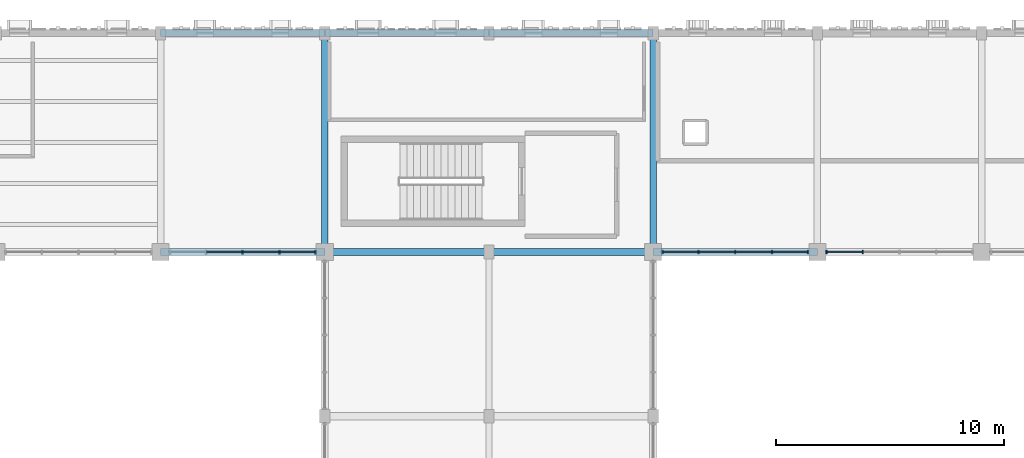
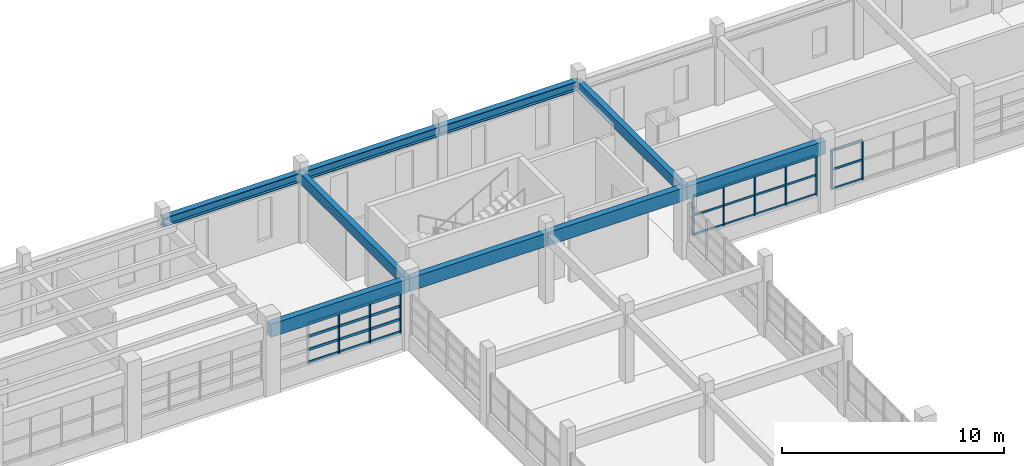
# One storey, part 23 of 69: 37 members, 9 beams, 3 elements without a shape of their own.
"""IFC4 building model written with IfcOpenShell, lengths in metres."""

import ifcopenshell
import ifcopenshell.guid

model = None  # the IFC model being written
_history = None  # IfcOwnerHistory: only IFC2X3 demands one
_inside = {}  # id of a spatial element -> (the spatial element, [elements in it])
_under = {}  # id of a project, library or spatial element -> (it, [spatial elements below it])
_declared = {}  # id of a project -> (the project, [libraries it declares])
_typed = {}  # id of a type object -> (the type object, [elements of that type])
_made_of = {}  # id of a material, layer set ... -> (it, [elements and type objects made of it])


def new_model(schema):
    """Start an empty IFC model of exactly this schema.

    Asked for "IFC4X3", IfcOpenShell would pick the latest addendum, in which some entities
    have other attributes; the version numbers below select the first issue.
    IFC2X3 requires an IfcOwnerHistory on every rooted entity: one is made here for all.
    """
    global model, _history
    if schema == "IFC4X3":
        model = ifcopenshell.file(schema_version=(4, 3, 0, 0))
    else:
        model = ifcopenshell.file(schema=schema)
    _inside.clear()
    _under.clear()
    _declared.clear()
    _typed.clear()
    _made_of.clear()
    _history = None
    if model.schema == "IFC2X3":
        org = make("IfcOrganization", Name="unknown")
        user = make(
            "IfcPersonAndOrganization",
            ThePerson=make("IfcPerson", FamilyName="unknown"),
            TheOrganization=org,
        )
        app = make(
            "IfcApplication",
            ApplicationDeveloper=org,
            Version="unknown",
            ApplicationFullName="unknown",
            ApplicationIdentifier="unknown",
        )
        _history = make(
            "IfcOwnerHistory",
            OwningUser=user,
            OwningApplication=app,
            ChangeAction="ADDED",
            CreationDate=0,
        )
    return model


def make(cls, **values):
    """One entity of the class cls with the attributes given. An attribute that is None is left unset."""
    return model.create_entity(
        cls, **{name: value for name, value in values.items() if value is not None}
    )


def rooted(cls, **values):
    """An entity with a GlobalId (a new one), such as an element, a storey or a relation."""
    return make(cls, GlobalId=ifcopenshell.guid.new(), OwnerHistory=_history, **values)


def si_unit(unit_type, name, prefix=None):
    """IfcSIUnit, for example si_unit("LENGTHUNIT", "METRE", prefix="MILLI")."""
    return make("IfcSIUnit", UnitType=unit_type, Prefix=prefix, Name=name)


def assignment(units):
    """IfcUnitAssignment: the units of a project."""
    return None if units is None else make("IfcUnitAssignment", Units=units)


def point(xyz):
    """IfcCartesianPoint."""
    return None if xyz is None else make("IfcCartesianPoint", Coordinates=xyz)


def direction(xyz):
    """IfcDirection."""
    return None if xyz is None else make("IfcDirection", DirectionRatios=xyz)


def frame(location, z_axis=None, x_axis=None):
    """IfcAxis2Placement3D, a coordinate frame: its origin and axes. An axis left out is left unset."""
    return make(
        "IfcAxis2Placement3D",
        Location=point(location),
        Axis=direction(z_axis),
        RefDirection=direction(x_axis),
    )


def frame_2d(location, x_axis=None):
    """IfcAxis2Placement2D, a coordinate frame in the plane: its origin and x axis."""
    return make(
        "IfcAxis2Placement2D", Location=point(location), RefDirection=direction(x_axis)
    )


def origin():
    """The frame at (0, 0, 0) with its axes left unset."""
    return frame((0.0, 0.0, 0.0))


def origin_2d():
    """The frame at (0, 0) in the plane with its x axis left unset."""
    return frame_2d((0.0, 0.0))


def place(relative_to, where):
    """IfcLocalPlacement: puts the frame where relative to a parent placement (None: the world)."""
    return make(
        "IfcLocalPlacement", PlacementRelTo=relative_to, RelativePlacement=where
    )


def context(
    kind, dimensions, precision=None, world=None, true_north=None, identifier=None
):
    """IfcGeometricRepresentationContext, for example the 3D "Model" context."""
    return make(
        "IfcGeometricRepresentationContext",
        ContextIdentifier=identifier,
        ContextType=kind,
        CoordinateSpaceDimension=dimensions,
        Precision=precision,
        WorldCoordinateSystem=world,
        TrueNorth=true_north,
    )


def subcontext(parent, identifier, kind, view, scale=None):
    """IfcGeometricRepresentationSubContext, for example "Body" below "Model"."""
    return make(
        "IfcGeometricRepresentationSubContext",
        ContextIdentifier=identifier,
        ContextType=kind,
        ParentContext=parent,
        TargetScale=scale,
        TargetView=view,
    )


def project(units=None, contexts=None):
    """IfcProject with its units and contexts."""
    return rooted(
        "IfcProject",
        Name="project",
        RepresentationContexts=contexts,
        UnitsInContext=assignment(units),
    )


def spatial(cls, under=None, at=None, **own):
    """A site, building, storey or space (cls), placed at a placement, below another one or the project."""
    s = rooted(cls, ObjectPlacement=at, **own)
    if under is not None:
        _under.setdefault(under.id(), (under, []))[1].append(s)
    return s


def profile(cls, at=None, kind="AREA", **sizes):
    """A parametric profile (cls). Its sizes go by their IFC names, for example OverallWidth=200.0."""
    return make(cls, ProfileType=kind, Position=at, **sizes)


def rectangle(**sizes):
    """IfcRectangleProfileDef."""
    return profile("IfcRectangleProfileDef", **sizes)


def i_section(**sizes):
    """IfcIShapeProfileDef."""
    return profile("IfcIShapeProfileDef", **sizes)


def extrude(swept, where, along, depth):
    """IfcExtrudedAreaSolid: the profile swept, set in the frame where, extruded along a direction by depth."""
    return make(
        "IfcExtrudedAreaSolid",
        SweptArea=swept,
        Position=where,
        ExtrudedDirection=direction(along),
        Depth=depth,
    )


def shape(context_of_items, identifier, shape_type, items):
    """IfcShapeRepresentation: the items that make up one representation, for example the "Body"."""
    return make(
        "IfcShapeRepresentation",
        ContextOfItems=context_of_items,
        RepresentationIdentifier=identifier,
        RepresentationType=shape_type,
        Items=items,
    )


def material(Name=None, Category=None):
    """IfcMaterial."""
    return make("IfcMaterial", Name=Name, Category=Category)


def material_profile(
    of_material, cross_section, Name=None, Category=None, Priority=None
):
    """IfcMaterialProfile: a cross section and its material."""
    return make(
        "IfcMaterialProfile",
        Name=Name,
        Material=of_material,
        Profile=cross_section,
        Priority=Priority,
        Category=Category,
    )


def profile_set(profiles, Name=None, composite=None):
    """IfcMaterialProfileSet."""
    return make(
        "IfcMaterialProfileSet",
        Name=Name,
        MaterialProfiles=profiles,
        CompositeProfile=composite,
    )


def made_of(thing, what):
    """Note that an element or type object is made of a material, layer set ...; save() writes the relation."""
    if what is not None:
        _made_of.setdefault(what.id(), (what, []))[1].append(thing)
    return thing


def type_object(cls, material=None, **own):
    """A type object (cls), such as IfcWallType, which elements share."""
    return made_of(rooted(cls, **own), material)


def element(
    cls,
    number,
    at=None,
    inside=None,
    cuts=None,
    type_object=None,
    material=None,
    context=None,
    identifier="Body",
    shape_type=None,
    held_by="IfcProductDefinitionShape",
    body=None,
    shapes=None,
    **own,
):
    """One element of the class cls, such as IfcWall. Its Tag is "e" and its number.

    at: its placement. inside: the storey or other place that contains it. cuts: it is an
    opening in that element (IfcRelVoidsElement). A single representation is given by context,
    identifier, shape_type and body (its items); several are given by shapes. held_by: the class
    of the entity that holds the representations. save() writes the other relations.
    """
    e = rooted(cls, Tag="e%d" % number, ObjectPlacement=at, **own)
    if body is not None:
        shapes = [shape(context, identifier, shape_type, body)]
    if shapes is not None:
        e.Representation = make(held_by, Representations=shapes)
    if inside is not None:
        _inside.setdefault(inside.id(), (inside, []))[1].append(e)
    if cuts is not None:
        rooted(
            "IfcRelVoidsElement", RelatingBuildingElement=cuts, RelatedOpeningElement=e
        )
    if type_object is not None:
        _typed.setdefault(type_object.id(), (type_object, []))[1].append(e)
    return made_of(e, material)


def aggregate(whole, parts):
    """IfcRelAggregates: a whole, such as a stair, and the parts it consists of."""
    return rooted("IfcRelAggregates", RelatingObject=whole, RelatedObjects=parts)


def save(model, path):
    """Write the relations noted so far, then the file.

    IfcRelAggregates (storeys below a building ...), IfcRelContainedInSpatialStructure (elements
    in a storey), IfcRelDefinesByType, IfcRelAssociatesMaterial and IfcRelDeclares: one each for
    every whole, place, type object, material and project.
    """
    for whole, parts in _under.values():
        aggregate(whole, parts)
    for where, things in _inside.values():
        rooted(
            "IfcRelContainedInSpatialStructure",
            RelatedElements=things,
            RelatingStructure=where,
        )
    for kind, things in _typed.values():
        rooted("IfcRelDefinesByType", RelatedObjects=things, RelatingType=kind)
    for what, things in _made_of.values():
        rooted("IfcRelAssociatesMaterial", RelatedObjects=things, RelatingMaterial=what)
    for by, libraries in _declared.values():
        rooted("IfcRelDeclares", RelatingContext=by, RelatedDefinitions=libraries)
    model.write(path)


model = new_model("IFC4")

# Units and contexts
model_context = context("Model", 3, precision=1e-05, world=origin(), true_north=direction((0.0, 1.0)))
body_context = subcontext(model_context, "Body", "Model", "MODEL_VIEW")
ifc_project = project(units=[si_unit("LENGTHUNIT", "METRE"), si_unit("AREAUNIT", "SQUARE_METRE"), si_unit("VOLUMEUNIT", "CUBIC_METRE"), si_unit("PLANEANGLEUNIT", "RADIAN"), si_unit("MASSUNIT", "GRAM", prefix="KILO")], contexts=[model_context])

# Site, building, storey
site_placement = place(None, origin())
site = spatial("IfcSite", under=ifc_project, at=site_placement, CompositionType="ELEMENT")
building_placement = place(site_placement, origin())
building = spatial("IfcBuilding", under=site, at=building_placement, Name="Nzembalo Square Collegiate School", CompositionType="ELEMENT")
storey_placement = place(building_placement, frame((0.0, 0.0, 5.10009765625)))
storey = spatial("IfcBuildingStorey", under=building, at=storey_placement, Name="L01", CompositionType="ELEMENT", Elevation=5.10009765625)

# Beams
ifc_material_1 = material(Name="Glulam GL32h", Category="wood")
ifc_material_profile_1 = material_profile(ifc_material_1, rectangle(XDim=0.320068359375, YDim=0.719970703125, at=origin_2d()), Name="GL32h 320x720")
ifc_profile_set_1 = profile_set([ifc_material_profile_1], Name="Glulam GL32h")
beam_type_1 = type_object("IfcBeamType", Name="B03", PredefinedType="BEAM", material=ifc_profile_set_1)
for number, where, z_axis, x_axis, name in (
    (1, (69.60009765625, 104.39990234375, 3.389892578125), (1.0, 0.0, 0.0), (0.0, 1.0, 0.0), "Beam B03 L01"),
    (2, (76.800048828125, 104.39990234375, 3.389892578125), (1.0, 0.0, 0.0), (0.0, 1.0, 0.0), "Beam B03 L01"),
    (3, (84.0, 104.39990234375, 3.389892578125), (1.0, 0.0, 0.0), (0.0, 1.0, 0.0), "Beam B03 L01"),
    (4, (91.199951171875, 104.39990234375, 3.389892578125), (1.0, 0.0, 0.0), (0.0, 1.0, 0.0), "Beam B03 L01"),
):
    element("IfcBeam", number, at=place(storey_placement, frame(where, z_axis=z_axis, x_axis=x_axis)), inside=storey, type_object=beam_type_1, Name=name, PredefinedType="BEAM", context=body_context, shape_type="SweptSolid", body=[
        extrude(rectangle(XDim=0.320068359375, YDim=0.719970703125, at=origin_2d()), origin(), (0.0, 0.0, 1.0), 7.199951171875),
    ])
ifc_material_2 = material(Name="Glulam GL28h", Category="wood")
ifc_material_profile_2 = material_profile(ifc_material_2, rectangle(XDim=0.280029296875, YDim=0.56005859375, at=origin_2d()), Name="GL28h 280x560")
ifc_profile_set_2 = profile_set([ifc_material_profile_2], Name="Glulam GL28h")
beam_type_2 = type_object("IfcBeamType", Name="B05", PredefinedType="BEAM", material=ifc_profile_set_2)
for number, where, z_axis, x_axis, name in (
    (5, (76.800048828125, 104.39990234375, 3.469970703125), (0.0, 1.0, 0.0), (-1.0, 0.0, 0.0), "Beam B05 L01"),
    (6, (91.199951171875, 104.39990234375, 3.469970703125), (0.0, 1.0, 0.0), (-1.0, 0.0, 0.0), "Beam B05 L01"),
):
    element("IfcBeam", number, at=place(storey_placement, frame(where, z_axis=z_axis, x_axis=x_axis)), inside=storey, type_object=beam_type_2, Name=name, PredefinedType="BEAM", context=body_context, shape_type="SweptSolid", body=[
        extrude(rectangle(XDim=0.280029296875, YDim=0.56005859375, at=origin_2d()), origin(), (0.0, 0.0, 1.0), 9.60009765625),
    ])
ifc_material_3 = material(Name="Steel S355", Category="steel")
ifc_material_profile_3 = material_profile(ifc_material_3, i_section(OverallWidth=0.300048828125, OverallDepth=0.5, WebThickness=0.014404296875, FlangeThickness=0.028076171875, at=origin_2d()), Name="HEB 500")
ifc_profile_set_3 = profile_set([ifc_material_profile_3], Name="Steel S355")
beam_type_3 = type_object("IfcBeamType", Name="B07", PredefinedType="BEAM", material=ifc_profile_set_3)
for number, where, z_axis, x_axis, name in (
    (7, (69.60009765625, 114.0, 3.5), (1.0, 0.0, 0.0), (0.0, 1.0, 0.0), "Beam B07 L01"),
    (8, (76.800048828125, 114.0, 3.5), (1.0, 0.0, 0.0), (0.0, 1.0, 0.0), "Beam B07 L01"),
    (9, (84.0, 114.0, 3.5), (1.0, 0.0, 0.0), (0.0, 1.0, 0.0), "Beam B07 L01"),
):
    element("IfcBeam", number, at=place(storey_placement, frame(where, z_axis=z_axis, x_axis=x_axis)), inside=storey, type_object=beam_type_3, Name=name, PredefinedType="BEAM", context=body_context, shape_type="SweptSolid", body=[
        extrude(i_section(OverallWidth=0.300048828125, OverallDepth=0.5, WebThickness=0.014404296875, FlangeThickness=0.028076171875, at=origin_2d()), origin(), (0.0, 0.0, 1.0), 7.199951171875),
    ])

# Curtain wall, members
ifc_material_4 = material(Name="Aluminium 6060-T66", Category="aluminium")
curtain_wall_type_1 = type_object("IfcCurtainWallType", Name="CW-02", PredefinedType="USERDEFINED", material=ifc_material_4)
curtain_wall_1_placement = place(storey_placement, origin())
curtain_wall_1 = element("IfcCurtainWall", 10, at=curtain_wall_1_placement, inside=storey, type_object=curtain_wall_type_1, Name="Curtain wall CW-02 cw:L01:089", ObjectType="UNITISED", PredefinedType="USERDEFINED")
ifc_material_5 = material(Name="Aluminium 6060-T66", Category="aluminium")
ifc_material_profile_4 = material_profile(ifc_material_5, rectangle(XDim=0.06005859375, YDim=0.179931640625, at=origin_2d()), Name="ALU M60x180")
ifc_profile_set_4 = profile_set([ifc_material_profile_4], Name="Aluminium 6060-T66")
member_type_1 = type_object("IfcMemberType", Name="ML01", PredefinedType="MULLION", material=ifc_profile_set_4)
member_1_placement = place(storey_placement, frame((73.199951171875, 104.39990234375, 0.849853515625), z_axis=(0.0, 0.0, 1.0), x_axis=(1.0, 0.0, 0.0)))
member_1 = element("IfcMember", 11, at=member_1_placement, type_object=member_type_1, Name="ML01 mullion 3", PredefinedType="MULLION", context=body_context, shape_type="SweptSolid", body=[
    extrude(rectangle(XDim=0.06005859375, YDim=0.179931640625, at=origin_2d()), origin(), (0.0, 0.0, 1.0), 2.174072265625),
])
member_2_placement = place(storey_placement, frame((74.8115234375, 104.39990234375, 0.849853515625), z_axis=(0.0, 0.0, 1.0), x_axis=(1.0, 0.0, 0.0)))
member_2 = element("IfcMember", 12, at=member_2_placement, type_object=member_type_1, Name="ML01 mullion 4", PredefinedType="MULLION", context=body_context, shape_type="SweptSolid", body=[
    extrude(rectangle(XDim=0.06005859375, YDim=0.179931640625, at=origin_2d()), origin(), (0.0, 0.0, 1.0), 2.174072265625),
])
member_3_placement = place(storey_placement, frame((76.39306640625, 104.39990234375, 0.849853515625), z_axis=(0.0, 0.0, 1.0), x_axis=(1.0, 0.0, 0.0)))
member_3 = element("IfcMember", 13, at=member_3_placement, type_object=member_type_1, Name="ML01 mullion 5", PredefinedType="MULLION", context=body_context, shape_type="SweptSolid", body=[
    extrude(rectangle(XDim=0.06005859375, YDim=0.179931640625, at=origin_2d()), origin(), (0.0, 0.0, 1.0), 2.174072265625),
])

ifc_material_6 = material(Name="Aluminium 6060-T66", Category="aluminium")
curtain_wall_type_2 = type_object("IfcCurtainWallType", Name="CW-03", PredefinedType="USERDEFINED", material=ifc_material_6)
curtain_wall_2_placement = place(storey_placement, origin())
curtain_wall_2 = element("IfcCurtainWall", 14, at=curtain_wall_2_placement, inside=storey, type_object=curtain_wall_type_2, Name="Curtain wall CW-03 cw:L01:074", ObjectType="UNITISED", PredefinedType="USERDEFINED")
ifc_material_7 = material(Name="Aluminium 6060-T66", Category="aluminium")
ifc_material_profile_5 = material_profile(ifc_material_7, rectangle(XDim=0.06005859375, YDim=0.14990234375, at=origin_2d()), Name="ALU M60x150")
ifc_profile_set_5 = profile_set([ifc_material_profile_5], Name="Aluminium 6060-T66")
member_type_2 = type_object("IfcMemberType", Name="ML02", PredefinedType="MULLION", material=ifc_profile_set_5)
member_4_placement = place(storey_placement, frame((91.60693359375, 104.39990234375, 0.849853515625), z_axis=(0.0, 0.0, 1.0), x_axis=(1.0, 0.0, 0.0)))
member_4 = element("IfcMember", 15, at=member_4_placement, type_object=member_type_2, Name="ML02 mullion 1", PredefinedType="MULLION", context=body_context, shape_type="SweptSolid", body=[
    extrude(rectangle(XDim=0.06005859375, YDim=0.14990234375, at=origin_2d()), origin(), (0.0, 0.0, 1.0), 2.174072265625),
])
member_5_placement = place(storey_placement, frame((93.1884765625, 104.39990234375, 0.849853515625), z_axis=(0.0, 0.0, 1.0), x_axis=(1.0, 0.0, 0.0)))
member_5 = element("IfcMember", 16, at=member_5_placement, type_object=member_type_2, Name="ML02 mullion 2", PredefinedType="MULLION", context=body_context, shape_type="SweptSolid", body=[
    extrude(rectangle(XDim=0.06005859375, YDim=0.14990234375, at=origin_2d()), origin(), (0.0, 0.0, 1.0), 2.174072265625),
])
member_6_placement = place(storey_placement, frame((94.800048828125, 104.39990234375, 0.849853515625), z_axis=(0.0, 0.0, 1.0), x_axis=(1.0, 0.0, 0.0)))
member_6 = element("IfcMember", 17, at=member_6_placement, type_object=member_type_2, Name="ML02 mullion 3", PredefinedType="MULLION", context=body_context, shape_type="SweptSolid", body=[
    extrude(rectangle(XDim=0.06005859375, YDim=0.14990234375, at=origin_2d()), origin(), (0.0, 0.0, 1.0), 2.174072265625),
])
member_7_placement = place(storey_placement, frame((96.41162109375, 104.39990234375, 0.849853515625), z_axis=(0.0, 0.0, 1.0), x_axis=(1.0, 0.0, 0.0)))
member_7 = element("IfcMember", 18, at=member_7_placement, type_object=member_type_2, Name="ML02 mullion 4", PredefinedType="MULLION", context=body_context, shape_type="SweptSolid", body=[
    extrude(rectangle(XDim=0.06005859375, YDim=0.14990234375, at=origin_2d()), origin(), (0.0, 0.0, 1.0), 2.174072265625),
])
member_8_placement = place(storey_placement, frame((97.992919921875, 104.39990234375, 0.849853515625), z_axis=(0.0, 0.0, 1.0), x_axis=(1.0, 0.0, 0.0)))
member_8 = element("IfcMember", 19, at=member_8_placement, type_object=member_type_2, Name="ML02 mullion 5", PredefinedType="MULLION", context=body_context, shape_type="SweptSolid", body=[
    extrude(rectangle(XDim=0.06005859375, YDim=0.14990234375, at=origin_2d()), origin(), (0.0, 0.0, 1.0), 2.174072265625),
])

ifc_material_8 = material(Name="Aluminium 6060-T66", Category="aluminium")
curtain_wall_type_3 = type_object("IfcCurtainWallType", Name="CW-04", PredefinedType="USERDEFINED", material=ifc_material_8)
curtain_wall_3_placement = place(storey_placement, origin())
curtain_wall_3 = element("IfcCurtainWall", 20, at=curtain_wall_3_placement, inside=storey, type_object=curtain_wall_type_3, Name="Curtain wall CW-04 cw:L01:075", ObjectType="UNITISED", PredefinedType="USERDEFINED")
member_9_placement = place(storey_placement, frame((98.806884765625, 104.39990234375, 0.849853515625), z_axis=(0.0, 0.0, 1.0), x_axis=(1.0, 0.0, 0.0)))
member_9 = element("IfcMember", 21, at=member_9_placement, type_object=member_type_2, Name="ML02 mullion 1", PredefinedType="MULLION", context=body_context, shape_type="SweptSolid", body=[
    extrude(rectangle(XDim=0.06005859375, YDim=0.14990234375, at=origin_2d()), origin(), (0.0, 0.0, 1.0), 2.174072265625),
])
member_10_placement = place(storey_placement, frame((100.388427734375, 104.39990234375, 0.849853515625), z_axis=(0.0, 0.0, 1.0), x_axis=(1.0, 0.0, 0.0)))
member_10 = element("IfcMember", 22, at=member_10_placement, type_object=member_type_2, Name="ML02 mullion 2", PredefinedType="MULLION", context=body_context, shape_type="SweptSolid", body=[
    extrude(rectangle(XDim=0.06005859375, YDim=0.14990234375, at=origin_2d()), origin(), (0.0, 0.0, 1.0), 2.174072265625),
])

# Member
ifc_material_9 = material(Name="Aluminium 6060-T66", Category="aluminium")
ifc_material_profile_6 = material_profile(ifc_material_9, rectangle(XDim=0.06005859375, YDim=0.139892578125, at=origin_2d()), Name="ALU T60x140")
ifc_profile_set_6 = profile_set([ifc_material_profile_6], Name="Aluminium 6060-T66")
member_type_3 = type_object("IfcMemberType", Name="TR01", PredefinedType="USERDEFINED", material=ifc_profile_set_6)
member_11_placement = place(storey_placement, frame((71.618408203125, 104.39990234375, 0.8798828125), z_axis=(1.0, 0.0, 0.0), x_axis=(0.0, 1.0, 0.0)))
member_11 = element("IfcMember", 23, at=member_11_placement, type_object=member_type_3, Name="TR01 transom 1-2", ObjectType="TRANSOM", PredefinedType="USERDEFINED", context=body_context, shape_type="SweptSolid", body=[
    extrude(rectangle(XDim=0.06005859375, YDim=0.139892578125, at=origin_2d()), origin(), (0.0, 0.0, 1.0), 1.551513671875),
])

member_12_placement = place(storey_placement, frame((73.22998046875, 104.39990234375, 0.8798828125), z_axis=(1.0, 0.0, 0.0), x_axis=(0.0, 1.0, 0.0)))
member_12 = element("IfcMember", 24, at=member_12_placement, type_object=member_type_3, Name="TR01 transom 1-3", ObjectType="TRANSOM", PredefinedType="USERDEFINED", context=body_context, shape_type="SweptSolid", body=[
    extrude(rectangle(XDim=0.06005859375, YDim=0.139892578125, at=origin_2d()), origin(), (0.0, 0.0, 1.0), 1.551513671875),
])

member_13_placement = place(storey_placement, frame((74.841552734375, 104.39990234375, 0.8798828125), z_axis=(1.0, 0.0, 0.0), x_axis=(0.0, 1.0, 0.0)))
member_13 = element("IfcMember", 25, at=member_13_placement, type_object=member_type_3, Name="TR01 transom 1-4", ObjectType="TRANSOM", PredefinedType="USERDEFINED", context=body_context, shape_type="SweptSolid", body=[
    extrude(rectangle(XDim=0.06005859375, YDim=0.139892578125, at=origin_2d()), origin(), (0.0, 0.0, 1.0), 1.521484375),
])

member_14_placement = place(storey_placement, frame((71.618408203125, 104.39990234375, 1.574462890625), z_axis=(1.0, 0.0, 0.0), x_axis=(0.0, 1.0, 0.0)))
member_14 = element("IfcMember", 26, at=member_14_placement, type_object=member_type_3, Name="TR01 transom 2-2", ObjectType="TRANSOM", PredefinedType="USERDEFINED", context=body_context, shape_type="SweptSolid", body=[
    extrude(rectangle(XDim=0.06005859375, YDim=0.139892578125, at=origin_2d()), origin(), (0.0, 0.0, 1.0), 1.551513671875),
])

member_15_placement = place(storey_placement, frame((73.22998046875, 104.39990234375, 1.574462890625), z_axis=(1.0, 0.0, 0.0), x_axis=(0.0, 1.0, 0.0)))
member_15 = element("IfcMember", 27, at=member_15_placement, type_object=member_type_3, Name="TR01 transom 2-3", ObjectType="TRANSOM", PredefinedType="USERDEFINED", context=body_context, shape_type="SweptSolid", body=[
    extrude(rectangle(XDim=0.06005859375, YDim=0.139892578125, at=origin_2d()), origin(), (0.0, 0.0, 1.0), 1.551513671875),
])

member_16_placement = place(storey_placement, frame((74.841552734375, 104.39990234375, 1.574462890625), z_axis=(1.0, 0.0, 0.0), x_axis=(0.0, 1.0, 0.0)))
member_16 = element("IfcMember", 28, at=member_16_placement, type_object=member_type_3, Name="TR01 transom 2-4", ObjectType="TRANSOM", PredefinedType="USERDEFINED", context=body_context, shape_type="SweptSolid", body=[
    extrude(rectangle(XDim=0.06005859375, YDim=0.139892578125, at=origin_2d()), origin(), (0.0, 0.0, 1.0), 1.521484375),
])

member_17_placement = place(storey_placement, frame((71.618408203125, 104.39990234375, 2.29931640625), z_axis=(1.0, 0.0, 0.0), x_axis=(0.0, 1.0, 0.0)))
member_17 = element("IfcMember", 29, at=member_17_placement, type_object=member_type_3, Name="TR01 transom 3-2", ObjectType="TRANSOM", PredefinedType="USERDEFINED", context=body_context, shape_type="SweptSolid", body=[
    extrude(rectangle(XDim=0.06005859375, YDim=0.139892578125, at=origin_2d()), origin(), (0.0, 0.0, 1.0), 1.551513671875),
])

member_18_placement = place(storey_placement, frame((73.22998046875, 104.39990234375, 2.29931640625), z_axis=(1.0, 0.0, 0.0), x_axis=(0.0, 1.0, 0.0)))
member_18 = element("IfcMember", 30, at=member_18_placement, type_object=member_type_3, Name="TR01 transom 3-3", ObjectType="TRANSOM", PredefinedType="USERDEFINED", context=body_context, shape_type="SweptSolid", body=[
    extrude(rectangle(XDim=0.06005859375, YDim=0.139892578125, at=origin_2d()), origin(), (0.0, 0.0, 1.0), 1.551513671875),
])

member_19_placement = place(storey_placement, frame((74.841552734375, 104.39990234375, 2.29931640625), z_axis=(1.0, 0.0, 0.0), x_axis=(0.0, 1.0, 0.0)))
member_19 = element("IfcMember", 31, at=member_19_placement, type_object=member_type_3, Name="TR01 transom 3-4", ObjectType="TRANSOM", PredefinedType="USERDEFINED", context=body_context, shape_type="SweptSolid", body=[
    extrude(rectangle(XDim=0.06005859375, YDim=0.139892578125, at=origin_2d()), origin(), (0.0, 0.0, 1.0), 1.521484375),
])

member_20_placement = place(storey_placement, frame((71.618408203125, 104.39990234375, 2.993896484375), z_axis=(1.0, 0.0, 0.0), x_axis=(0.0, 1.0, 0.0)))
member_20 = element("IfcMember", 32, at=member_20_placement, type_object=member_type_3, Name="TR01 transom 4-2", ObjectType="TRANSOM", PredefinedType="USERDEFINED", context=body_context, shape_type="SweptSolid", body=[
    extrude(rectangle(XDim=0.06005859375, YDim=0.139892578125, at=origin_2d()), origin(), (0.0, 0.0, 1.0), 1.551513671875),
])

member_21_placement = place(storey_placement, frame((73.22998046875, 104.39990234375, 2.993896484375), z_axis=(1.0, 0.0, 0.0), x_axis=(0.0, 1.0, 0.0)))
member_21 = element("IfcMember", 33, at=member_21_placement, type_object=member_type_3, Name="TR01 transom 4-3", ObjectType="TRANSOM", PredefinedType="USERDEFINED", context=body_context, shape_type="SweptSolid", body=[
    extrude(rectangle(XDim=0.06005859375, YDim=0.139892578125, at=origin_2d()), origin(), (0.0, 0.0, 1.0), 1.551513671875),
])

member_22_placement = place(storey_placement, frame((74.841552734375, 104.39990234375, 2.993896484375), z_axis=(1.0, 0.0, 0.0), x_axis=(0.0, 1.0, 0.0)))
member_22 = element("IfcMember", 34, at=member_22_placement, type_object=member_type_3, Name="TR01 transom 4-4", ObjectType="TRANSOM", PredefinedType="USERDEFINED", context=body_context, shape_type="SweptSolid", body=[
    extrude(rectangle(XDim=0.06005859375, YDim=0.139892578125, at=origin_2d()), origin(), (0.0, 0.0, 1.0), 1.521484375),
])

aggregate(curtain_wall_1, [member_1, member_2, member_3, member_11, member_12, member_13, member_14, member_15, member_16, member_17, member_18, member_19, member_20, member_21, member_22])

ifc_material_10 = material(Name="Aluminium 6060-T66", Category="aluminium")
ifc_material_profile_7 = material_profile(ifc_material_10, rectangle(XDim=0.06005859375, YDim=0.110107421875, at=origin_2d()), Name="ALU T60x110")
ifc_profile_set_7 = profile_set([ifc_material_profile_7], Name="Aluminium 6060-T66")
member_type_4 = type_object("IfcMemberType", Name="TR02", PredefinedType="USERDEFINED", material=ifc_profile_set_7)
member_23_placement = place(storey_placement, frame((91.636962890625, 104.39990234375, 0.8798828125), z_axis=(1.0, 0.0, 0.0), x_axis=(0.0, 1.0, 0.0)))
member_23 = element("IfcMember", 35, at=member_23_placement, type_object=member_type_4, Name="TR02 transom 1-1", ObjectType="TRANSOM", PredefinedType="USERDEFINED", context=body_context, shape_type="SweptSolid", body=[
    extrude(rectangle(XDim=0.06005859375, YDim=0.110107421875, at=origin_2d()), origin(), (0.0, 0.0, 1.0), 1.521484375),
])

member_24_placement = place(storey_placement, frame((93.218505859375, 104.39990234375, 0.8798828125), z_axis=(1.0, 0.0, 0.0), x_axis=(0.0, 1.0, 0.0)))
member_24 = element("IfcMember", 36, at=member_24_placement, type_object=member_type_4, Name="TR02 transom 1-2", ObjectType="TRANSOM", PredefinedType="USERDEFINED", context=body_context, shape_type="SweptSolid", body=[
    extrude(rectangle(XDim=0.06005859375, YDim=0.110107421875, at=origin_2d()), origin(), (0.0, 0.0, 1.0), 1.551513671875),
])

member_25_placement = place(storey_placement, frame((94.830078125, 104.39990234375, 0.8798828125), z_axis=(1.0, 0.0, 0.0), x_axis=(0.0, 1.0, 0.0)))
member_25 = element("IfcMember", 37, at=member_25_placement, type_object=member_type_4, Name="TR02 transom 1-3", ObjectType="TRANSOM", PredefinedType="USERDEFINED", context=body_context, shape_type="SweptSolid", body=[
    extrude(rectangle(XDim=0.06005859375, YDim=0.110107421875, at=origin_2d()), origin(), (0.0, 0.0, 1.0), 1.551513671875),
])

member_26_placement = place(storey_placement, frame((96.44140625, 104.39990234375, 0.8798828125), z_axis=(1.0, 0.0, 0.0), x_axis=(0.0, 1.0, 0.0)))
member_26 = element("IfcMember", 38, at=member_26_placement, type_object=member_type_4, Name="TR02 transom 1-4", ObjectType="TRANSOM", PredefinedType="USERDEFINED", context=body_context, shape_type="SweptSolid", body=[
    extrude(rectangle(XDim=0.06005859375, YDim=0.110107421875, at=origin_2d()), origin(), (0.0, 0.0, 1.0), 1.521484375),
])

member_27_placement = place(storey_placement, frame((91.636962890625, 104.39990234375, 1.93701171875), z_axis=(1.0, 0.0, 0.0), x_axis=(0.0, 1.0, 0.0)))
member_27 = element("IfcMember", 39, at=member_27_placement, type_object=member_type_4, Name="TR02 transom 2-1", ObjectType="TRANSOM", PredefinedType="USERDEFINED", context=body_context, shape_type="SweptSolid", body=[
    extrude(rectangle(XDim=0.06005859375, YDim=0.110107421875, at=origin_2d()), origin(), (0.0, 0.0, 1.0), 1.521484375),
])

member_28_placement = place(storey_placement, frame((93.218505859375, 104.39990234375, 1.93701171875), z_axis=(1.0, 0.0, 0.0), x_axis=(0.0, 1.0, 0.0)))
member_28 = element("IfcMember", 40, at=member_28_placement, type_object=member_type_4, Name="TR02 transom 2-2", ObjectType="TRANSOM", PredefinedType="USERDEFINED", context=body_context, shape_type="SweptSolid", body=[
    extrude(rectangle(XDim=0.06005859375, YDim=0.110107421875, at=origin_2d()), origin(), (0.0, 0.0, 1.0), 1.551513671875),
])

member_29_placement = place(storey_placement, frame((94.830078125, 104.39990234375, 1.93701171875), z_axis=(1.0, 0.0, 0.0), x_axis=(0.0, 1.0, 0.0)))
member_29 = element("IfcMember", 41, at=member_29_placement, type_object=member_type_4, Name="TR02 transom 2-3", ObjectType="TRANSOM", PredefinedType="USERDEFINED", context=body_context, shape_type="SweptSolid", body=[
    extrude(rectangle(XDim=0.06005859375, YDim=0.110107421875, at=origin_2d()), origin(), (0.0, 0.0, 1.0), 1.551513671875),
])

member_30_placement = place(storey_placement, frame((96.44140625, 104.39990234375, 1.93701171875), z_axis=(1.0, 0.0, 0.0), x_axis=(0.0, 1.0, 0.0)))
member_30 = element("IfcMember", 42, at=member_30_placement, type_object=member_type_4, Name="TR02 transom 2-4", ObjectType="TRANSOM", PredefinedType="USERDEFINED", context=body_context, shape_type="SweptSolid", body=[
    extrude(rectangle(XDim=0.06005859375, YDim=0.110107421875, at=origin_2d()), origin(), (0.0, 0.0, 1.0), 1.521484375),
])

member_31_placement = place(storey_placement, frame((91.636962890625, 104.39990234375, 2.993896484375), z_axis=(1.0, 0.0, 0.0), x_axis=(0.0, 1.0, 0.0)))
member_31 = element("IfcMember", 43, at=member_31_placement, type_object=member_type_4, Name="TR02 transom 3-1", ObjectType="TRANSOM", PredefinedType="USERDEFINED", context=body_context, shape_type="SweptSolid", body=[
    extrude(rectangle(XDim=0.06005859375, YDim=0.110107421875, at=origin_2d()), origin(), (0.0, 0.0, 1.0), 1.521484375),
])

member_32_placement = place(storey_placement, frame((93.218505859375, 104.39990234375, 2.993896484375), z_axis=(1.0, 0.0, 0.0), x_axis=(0.0, 1.0, 0.0)))
member_32 = element("IfcMember", 44, at=member_32_placement, type_object=member_type_4, Name="TR02 transom 3-2", ObjectType="TRANSOM", PredefinedType="USERDEFINED", context=body_context, shape_type="SweptSolid", body=[
    extrude(rectangle(XDim=0.06005859375, YDim=0.110107421875, at=origin_2d()), origin(), (0.0, 0.0, 1.0), 1.551513671875),
])

member_33_placement = place(storey_placement, frame((94.830078125, 104.39990234375, 2.993896484375), z_axis=(1.0, 0.0, 0.0), x_axis=(0.0, 1.0, 0.0)))
member_33 = element("IfcMember", 45, at=member_33_placement, type_object=member_type_4, Name="TR02 transom 3-3", ObjectType="TRANSOM", PredefinedType="USERDEFINED", context=body_context, shape_type="SweptSolid", body=[
    extrude(rectangle(XDim=0.06005859375, YDim=0.110107421875, at=origin_2d()), origin(), (0.0, 0.0, 1.0), 1.551513671875),
])

member_34_placement = place(storey_placement, frame((96.44140625, 104.39990234375, 2.993896484375), z_axis=(1.0, 0.0, 0.0), x_axis=(0.0, 1.0, 0.0)))
member_34 = element("IfcMember", 46, at=member_34_placement, type_object=member_type_4, Name="TR02 transom 3-4", ObjectType="TRANSOM", PredefinedType="USERDEFINED", context=body_context, shape_type="SweptSolid", body=[
    extrude(rectangle(XDim=0.06005859375, YDim=0.110107421875, at=origin_2d()), origin(), (0.0, 0.0, 1.0), 1.521484375),
])

aggregate(curtain_wall_2, [member_4, member_5, member_6, member_7, member_8, member_23, member_24, member_25, member_26, member_27, member_28, member_29, member_30, member_31, member_32, member_33, member_34])

member_35_placement = place(storey_placement, frame((98.8369140625, 104.39990234375, 0.8798828125), z_axis=(1.0, 0.0, 0.0), x_axis=(0.0, 1.0, 0.0)))
member_35 = element("IfcMember", 47, at=member_35_placement, type_object=member_type_4, Name="TR02 transom 1-1", ObjectType="TRANSOM", PredefinedType="USERDEFINED", context=body_context, shape_type="SweptSolid", body=[
    extrude(rectangle(XDim=0.06005859375, YDim=0.110107421875, at=origin_2d()), origin(), (0.0, 0.0, 1.0), 1.521484375),
])

member_36_placement = place(storey_placement, frame((98.8369140625, 104.39990234375, 1.93701171875), z_axis=(1.0, 0.0, 0.0), x_axis=(0.0, 1.0, 0.0)))
member_36 = element("IfcMember", 48, at=member_36_placement, type_object=member_type_4, Name="TR02 transom 2-1", ObjectType="TRANSOM", PredefinedType="USERDEFINED", context=body_context, shape_type="SweptSolid", body=[
    extrude(rectangle(XDim=0.06005859375, YDim=0.110107421875, at=origin_2d()), origin(), (0.0, 0.0, 1.0), 1.521484375),
])

member_37_placement = place(storey_placement, frame((98.8369140625, 104.39990234375, 2.993896484375), z_axis=(1.0, 0.0, 0.0), x_axis=(0.0, 1.0, 0.0)))
member_37 = element("IfcMember", 49, at=member_37_placement, type_object=member_type_4, Name="TR02 transom 3-1", ObjectType="TRANSOM", PredefinedType="USERDEFINED", context=body_context, shape_type="SweptSolid", body=[
    extrude(rectangle(XDim=0.06005859375, YDim=0.110107421875, at=origin_2d()), origin(), (0.0, 0.0, 1.0), 1.521484375),
])

aggregate(curtain_wall_3, [member_9, member_10, member_35, member_36, member_37])

save(model, "model.ifc")
